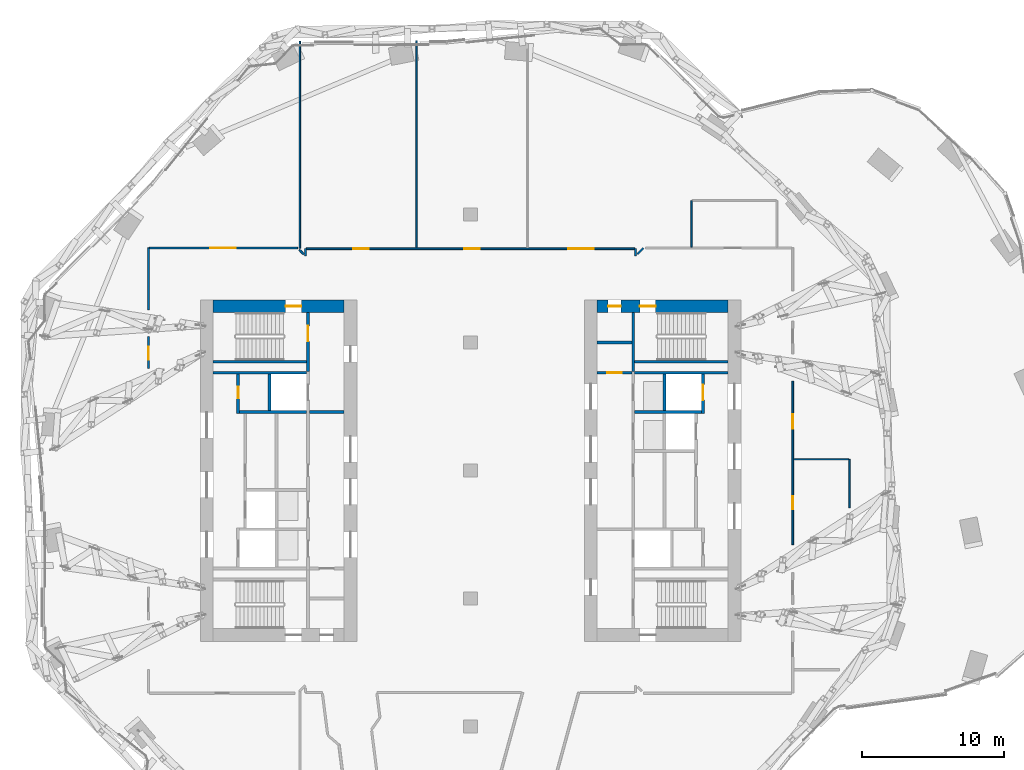
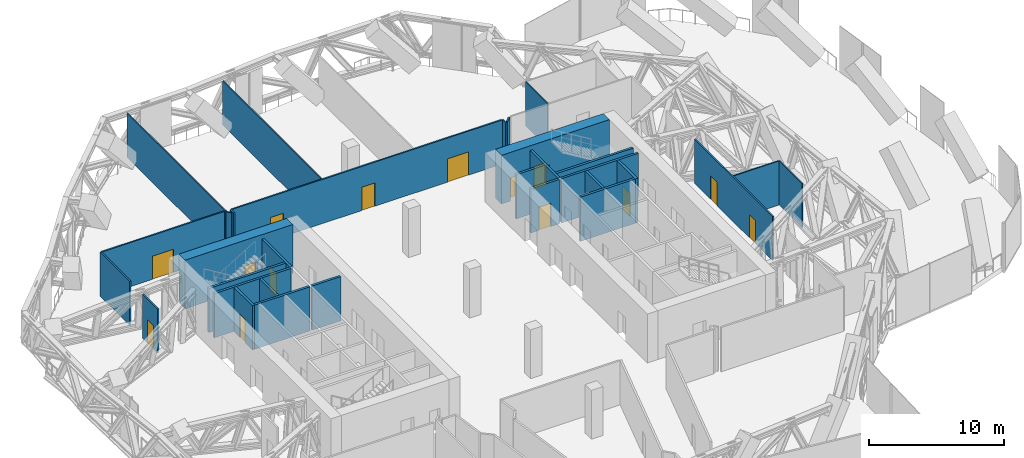
# One storey, part 21 of 27: 31 walls, 14 doors, 14 openings.
"""IFC4 building model written with IfcOpenShell, lengths in metres."""

from ifc_helpers import new_model, si_unit, direction, frame, frame_2d, origin, place, context, subcontext, project, spatial, rectangle, extrude, material, layer, layer_set, type_object, element, fill, save


model = new_model("IFC4")

# Units and contexts
model_context = context("Model", 3, precision=1e-05, world=origin(), true_north=direction((0.0, 1.0)))
body_context = subcontext(model_context, "Body", "Model", "MODEL_VIEW")
ifc_project = project(units=[si_unit("LENGTHUNIT", "METRE"), si_unit("AREAUNIT", "SQUARE_METRE"), si_unit("VOLUMEUNIT", "CUBIC_METRE"), si_unit("PLANEANGLEUNIT", "RADIAN"), si_unit("MASSUNIT", "GRAM", prefix="KILO")], contexts=[model_context])

# Site, building, storey
site_placement = place(None, origin())
site = spatial("IfcSite", under=ifc_project, at=site_placement, CompositionType="ELEMENT")
building_placement = place(site_placement, origin())
building = spatial("IfcBuilding", under=site, at=building_placement, Name="Orlundy Tower", CompositionType="ELEMENT")
storey_placement = place(building_placement, frame((0.0, 0.0, 206.10009765625)))
storey = spatial("IfcBuildingStorey", under=building, at=storey_placement, Name="L54", CompositionType="ELEMENT", Elevation=206.10009765625)

# Wall, opening, door
ifc_material_1 = material(Name="Concrete C70/85", Category="concrete")
ifc_layer_1 = layer(ifc_material_1, 0.89990234375)
ifc_layer_set_1 = layer_set([ifc_layer_1], Name="CORE WALL 900 C70/85")
wall_type_1 = type_object("IfcWallType", Name="CORE WALL 900 C70/85", PredefinedType="SHEAR", material=ifc_layer_set_1)
wall_1_placement = place(storey_placement, frame((-18.10009765625, 11.550048828125, 0.0), z_axis=(0.0, 0.0, 1.0), x_axis=(1.0, 0.0, 0.0)))
wall_1 = element("IfcWall", 1, at=wall_1_placement, inside=storey, type_object=wall_type_1, Name="Core wall W-N L54", PredefinedType="SHEAR", context=body_context, shape_type="SweptSolid", body=[
    extrude(rectangle(XDim=9.2001953125, YDim=0.89990234375, at=frame_2d((4.60009765625, 0.0))), origin(), (0.0, 0.0, 1.0), 4.39990234375),
])
opening_1_placement = place(wall_1_placement, frame((5.10009765625, 0.0, 0.0)))
opening_1 = element("IfcOpeningElement", 2, at=opening_1_placement, cuts=wall_1, Name="Opening 41016", PredefinedType="OPENING", context=body_context, shape_type="SweptSolid", body=[
    extrude(rectangle(XDim=1.10009765625, YDim=2.10009765625, at=frame_2d((0.550048828125, 1.050048828125))), frame((0.0, 0.4599609375, 0.0), z_axis=(0.0, -1.0, 0.0), x_axis=(1.0, 0.0, 0.0)), (0.0, 0.0, 1.0), 0.919921875),
])
ifc_material_2 = material(Name="Steel door set", Category="steel")
door_type_1 = type_object("IfcDoorType", Name="Stair Door 1100x2100", OperationType="SINGLE_SWING_LEFT", PredefinedType="DOOR", material=ifc_material_2)
door_1_placement = place(opening_1_placement, origin())
door_1 = element("IfcDoor", 3, at=door_1_placement, inside=storey, type_object=door_type_1, Name="Stair door 41016", OperationType="SINGLE_SWING_RIGHT", OverallHeight=2.10009765625, OverallWidth=1.10009765625, PredefinedType="DOOR", context=body_context, shape_type="SweptSolid", body=[
    extrude(rectangle(XDim=1.10009765625, YDim=2.10009765625, at=frame_2d((0.550048828125, 1.050048828125))), frame((0.0, 0.02490234375, 0.0), z_axis=(0.0, -1.0, 0.0), x_axis=(1.0, 0.0, 0.0)), (0.0, 0.0, 1.0), 0.050048828125),
])
fill(opening_1, door_1)

# Wall, openings, doors
wall_2_placement = place(storey_placement, frame((8.89990234375, 11.550048828125, 0.0), z_axis=(0.0, 0.0, 1.0), x_axis=(1.0, 0.0, 0.0)))
wall_2 = element("IfcWall", 4, at=wall_2_placement, inside=storey, type_object=wall_type_1, Name="Core wall E-N L54", PredefinedType="SHEAR", context=body_context, shape_type="SweptSolid", body=[
    extrude(rectangle(XDim=9.2001953125, YDim=0.89990234375, at=frame_2d((4.60009765625, 0.0))), origin(), (0.0, 0.0, 1.0), 4.39990234375),
])
opening_2_placement = place(wall_2_placement, frame((3.0, 0.0, 0.0)))
opening_2 = element("IfcOpeningElement", 5, at=opening_2_placement, cuts=wall_2, Name="Opening 41066", PredefinedType="OPENING", context=body_context, shape_type="SweptSolid", body=[
    extrude(rectangle(XDim=1.10009765625, YDim=2.10009765625, at=frame_2d((0.550048828125, 1.050048828125))), frame((0.0, 0.4599609375, 0.0), z_axis=(0.0, -1.0, 0.0), x_axis=(1.0, 0.0, 0.0)), (0.0, 0.0, 1.0), 0.919921875),
])
opening_3_placement = place(wall_2_placement, frame((0.77001953125, 0.0, 0.0)))
opening_3 = element("IfcOpeningElement", 6, at=opening_3_placement, cuts=wall_2, Name="Opening 41068", PredefinedType="OPENING", context=body_context, shape_type="SweptSolid", body=[
    extrude(rectangle(XDim=0.89990234375, YDim=2.10009765625, at=frame_2d((0.449951171875, 1.050048828125))), frame((0.0, 0.4599609375, 0.0), z_axis=(0.0, -1.0, 0.0), x_axis=(1.0, 0.0, 0.0)), (0.0, 0.0, 1.0), 0.919921875),
])
ifc_material_3 = material(Name="Timber door set", Category="wood")
door_type_2 = type_object("IfcDoorType", Name="Room Door 900x2100", OperationType="SINGLE_SWING_LEFT", PredefinedType="DOOR", material=ifc_material_3)
door_2_placement = place(opening_3_placement, origin())
door_2 = element("IfcDoor", 7, at=door_2_placement, inside=storey, type_object=door_type_2, Name="Store door 41068", OperationType="SINGLE_SWING_LEFT", OverallHeight=2.10009765625, OverallWidth=0.89990234375, PredefinedType="DOOR", context=body_context, shape_type="SweptSolid", body=[
    extrude(rectangle(XDim=0.89990234375, YDim=2.10009765625, at=frame_2d((0.449951171875, 1.050048828125))), frame((0.0, 0.02490234375, 0.0), z_axis=(0.0, -1.0, 0.0), x_axis=(1.0, 0.0, 0.0)), (0.0, 0.0, 1.0), 0.050048828125),
])
fill(opening_3, door_2)
door_3_placement = place(opening_2_placement, origin())
door_3 = element("IfcDoor", 8, at=door_3_placement, inside=storey, type_object=door_type_1, Name="Stair door 41066", OperationType="SINGLE_SWING_LEFT", OverallHeight=2.10009765625, OverallWidth=1.10009765625, PredefinedType="DOOR", context=body_context, shape_type="SweptSolid", body=[
    extrude(rectangle(XDim=1.10009765625, YDim=2.10009765625, at=frame_2d((0.550048828125, 1.050048828125))), frame((0.0, 0.02490234375, 0.0), z_axis=(0.0, -1.0, 0.0), x_axis=(1.0, 0.0, 0.0)), (0.0, 0.0, 1.0), 0.050048828125),
])
fill(opening_2, door_3)

# Walls
ifc_material_4 = material(Name="Gypsum board partition")
ifc_layer_2 = layer(ifc_material_4, 0.10009765625)
ifc_layer_set_2 = layer_set([ifc_layer_2], Name="Floor partition 100")
wall_type_2 = type_object("IfcWallType", Name="Floor partition 100", PredefinedType="PARTITIONING", material=ifc_layer_set_2)
wall_3_placement = place(storey_placement, frame((22.712890625, 0.794921875, 0.0), z_axis=(0.0, 0.0, 1.0), x_axis=(1.0, 0.0, 0.0)))
element("IfcWall", 9, at=wall_3_placement, inside=storey, type_object=wall_type_2, Name="wall-int-L54-029", PredefinedType="PARTITIONING", context=body_context, shape_type="SweptSolid", body=[
    extrude(rectangle(XDim=3.88720703125, YDim=0.10009765625, at=frame_2d((1.943603515625, 0.0))), origin(), (0.0, 0.0, 1.0), 3.97998046875),
])
wall_4_placement = place(storey_placement, frame((26.64990234375, -2.625, 0.0), z_axis=(0.0, 0.0, 1.0), x_axis=(0.0, 1.0, 0.0)))
element("IfcWall", 10, at=wall_4_placement, inside=storey, type_object=wall_type_2, Name="wall-int-L54-049", PredefinedType="PARTITIONING", context=body_context, shape_type="SweptSolid", body=[
    extrude(rectangle(XDim=3.419921875, YDim=0.10009765625, at=frame_2d((1.7099609375, 0.0))), origin(), (0.0, 0.0, 1.0), 3.97998046875),
])
wall_5_placement = place(storey_placement, frame((15.527099609375, 15.712890625, 0.0), z_axis=(0.0, 0.0, 1.0), x_axis=(0.0, 1.0, 0.0)))
element("IfcWall", 11, at=wall_5_placement, inside=storey, type_object=wall_type_2, Name="wall-int-L54-056", PredefinedType="PARTITIONING", context=body_context, shape_type="SweptSolid", body=[
    extrude(rectangle(XDim=3.27001953125, YDim=0.10009765625, at=frame_2d((1.635009765625, 0.0))), origin(), (0.0, 0.0, 1.0), 3.97998046875),
])
for number, where, z_axis, x_axis, name in (
    (12, (-3.799072265625, 15.6640625, 0.0), (0.0, 0.0, 1.0), (0.0, 1.0, 0.0), "wall-int-L54-063"),
    (13, (-12.0, 15.615966796875, 0.0), (0.0, 0.0, 1.0), (0.0, 1.0, 0.0), "wall-int-L54-065"),
):
    element("IfcWall", number, at=place(storey_placement, frame(where, z_axis=z_axis, x_axis=x_axis)), inside=storey, type_object=wall_type_2, Name=name, PredefinedType="PARTITIONING", context=body_context, shape_type="SweptSolid", body=[
        extrude(rectangle(XDim=14.56396484375, YDim=0.10009765625, at=frame_2d((7.281982421875, 0.0))), origin(), (0.0, 0.0, 1.0), 3.97998046875),
    ])
ifc_material_5 = material(Name="Gypsum board partition, double layer")
ifc_layer_3 = layer(ifc_material_5, 0.125)
ifc_layer_set_3 = layer_set([ifc_layer_3], Name="Floor partition 125")
wall_type_3 = type_object("IfcWallType", Name="Floor partition 125", PredefinedType="PARTITIONING", material=ifc_layer_set_3)
wall_6_placement = place(storey_placement, frame((-12.0458984375, 15.52392578125, 0.0), z_axis=(0.0, 0.0, 1.0), x_axis=(0.707106781187, -0.707106781187, 0.0)))
element("IfcWall", 14, at=wall_6_placement, inside=storey, type_object=wall_type_3, Name="wall-int-L54-007", PredefinedType="PARTITIONING", context=body_context, shape_type="SweptSolid", body=[
    extrude(rectangle(XDim=0.449462890625, YDim=0.125, at=frame_2d((0.224609375, 0.0))), origin(), (0.0, 0.0, 1.0), 3.97998046875),
])

# Wall, openings, doors
wall_7_placement = place(storey_placement, frame((-11.537109375, 15.60107421875, 0.0), z_axis=(0.0, 0.0, 1.0), x_axis=(1.0, 0.0, 0.0)))
wall_7 = element("IfcWall", 15, at=wall_7_placement, inside=storey, type_object=wall_type_3, Name="wall-int-L54-030", PredefinedType="PARTITIONING", context=body_context, shape_type="SweptSolid", body=[
    extrude(rectangle(XDim=23.07421875, YDim=0.125, at=frame_2d((11.537109375, 0.0))), origin(), (0.0, 0.0, 1.0), 3.97998046875),
])
opening_4_placement = place(wall_7_placement, frame((18.387451171875, 0.0, 0.0)))
opening_4 = element("IfcOpeningElement", 16, at=opening_4_placement, cuts=wall_7, Name="Opening 41122", PredefinedType="OPENING", context=body_context, shape_type="SweptSolid", body=[
    extrude(rectangle(XDim=1.800048828125, YDim=2.10009765625, at=frame_2d((0.89990234375, 1.050048828125))), frame((0.0, 0.072509765625, 0.0), z_axis=(0.0, -1.0, 0.0), x_axis=(1.0, 0.0, 0.0)), (0.0, 0.0, 1.0), 0.14501953125),
])
opening_5_placement = place(wall_7_placement, frame((11.08837890625, 0.0, 0.0)))
opening_5 = element("IfcOpeningElement", 17, at=opening_5_placement, cuts=wall_7, Name="Opening 41123", PredefinedType="OPENING", context=body_context, shape_type="SweptSolid", body=[
    extrude(rectangle(XDim=1.10009765625, YDim=2.10009765625, at=frame_2d((0.550048828125, 1.050048828125))), frame((0.0, 0.072509765625, 0.0), z_axis=(0.0, -1.0, 0.0), x_axis=(1.0, 0.0, 0.0)), (0.0, 0.0, 1.0), 0.14501953125),
])
opening_6_placement = place(wall_7_placement, frame((3.28759765625, 0.0, 0.0)))
opening_6 = element("IfcOpeningElement", 18, at=opening_6_placement, cuts=wall_7, Name="Opening 41124", PredefinedType="OPENING", context=body_context, shape_type="SweptSolid", body=[
    extrude(rectangle(XDim=1.10009765625, YDim=2.10009765625, at=frame_2d((0.550048828125, 1.050048828125))), frame((0.0, 0.072509765625, 0.0), z_axis=(0.0, -1.0, 0.0), x_axis=(1.0, 0.0, 0.0)), (0.0, 0.0, 1.0), 0.14501953125),
])
ifc_material_6 = material(Name="Timber door leaf", Category="wood")
door_type_3 = type_object("IfcDoorType", Name="Floor door double 1800 FD30S", OperationType="NOTDEFINED", PredefinedType="DOOR", material=ifc_material_6)
door_4_placement = place(opening_4_placement, origin())
door_4 = element("IfcDoor", 19, at=door_4_placement, inside=storey, type_object=door_type_3, Name="Door 41122", OperationType="DOUBLE_DOOR_SINGLE_SWING", OverallHeight=2.10009765625, OverallWidth=1.800048828125, PredefinedType="DOOR", context=body_context, shape_type="SweptSolid", body=[
    extrude(rectangle(XDim=1.800048828125, YDim=2.10009765625, at=frame_2d((0.89990234375, 1.050048828125))), frame((0.0, 0.02490234375, 0.0), z_axis=(0.0, -1.0, 0.0), x_axis=(1.0, 0.0, 0.0)), (0.0, 0.0, 1.0), 0.050048828125),
])
fill(opening_4, door_4)
ifc_material_7 = material(Name="Timber door leaf", Category="wood")
door_type_4 = type_object("IfcDoorType", Name="Floor door xwide 1100 FD30S", OperationType="NOTDEFINED", PredefinedType="DOOR", material=ifc_material_7)
door_5_placement = place(opening_5_placement, origin())
door_5 = element("IfcDoor", 20, at=door_5_placement, inside=storey, type_object=door_type_4, Name="Door 41123", OperationType="SINGLE_SWING_RIGHT", OverallHeight=2.10009765625, OverallWidth=1.10009765625, PredefinedType="DOOR", context=body_context, shape_type="SweptSolid", body=[
    extrude(rectangle(XDim=1.10009765625, YDim=2.10009765625, at=frame_2d((0.550048828125, 1.050048828125))), frame((0.0, 0.02490234375, 0.0), z_axis=(0.0, -1.0, 0.0), x_axis=(1.0, 0.0, 0.0)), (0.0, 0.0, 1.0), 0.050048828125),
])
fill(opening_5, door_5)
door_6_placement = place(opening_6_placement, origin())
door_6 = element("IfcDoor", 21, at=door_6_placement, inside=storey, type_object=door_type_4, Name="Door 41124", OperationType="SINGLE_SWING_LEFT", OverallHeight=2.10009765625, OverallWidth=1.10009765625, PredefinedType="DOOR", context=body_context, shape_type="SweptSolid", body=[
    extrude(rectangle(XDim=1.10009765625, YDim=2.10009765625, at=frame_2d((0.550048828125, 1.050048828125))), frame((0.0, 0.02490234375, 0.0), z_axis=(0.0, -1.0, 0.0), x_axis=(1.0, 0.0, 0.0)), (0.0, 0.0, 1.0), 0.050048828125),
])
fill(opening_6, door_6)

# Wall, opening, door
wall_8_placement = place(storey_placement, frame((-22.5869140625, 15.65087890625, 0.0), z_axis=(0.0, 0.0, 1.0), x_axis=(1.0, 0.0, 0.0)))
wall_8 = element("IfcWall", 22, at=wall_8_placement, inside=storey, type_object=wall_type_3, Name="wall-int-L54-031", PredefinedType="PARTITIONING", context=body_context, shape_type="SweptSolid", body=[
    extrude(rectangle(XDim=10.427001953125, YDim=0.125, at=frame_2d((5.21337890625, 0.0))), origin(), (0.0, 0.0, 1.0), 3.97998046875),
])
opening_7_placement = place(wall_8_placement, frame((4.28759765625, 0.0, 0.0)))
opening_7 = element("IfcOpeningElement", 23, at=opening_7_placement, cuts=wall_8, Name="Opening 41125", PredefinedType="OPENING", context=body_context, shape_type="SweptSolid", body=[
    extrude(rectangle(XDim=1.800048828125, YDim=2.10009765625, at=frame_2d((0.89990234375, 1.050048828125))), frame((0.0, 0.072509765625, 0.0), z_axis=(0.0, -1.0, 0.0), x_axis=(1.0, 0.0, 0.0)), (0.0, 0.0, 1.0), 0.14501953125),
])
door_7_placement = place(opening_7_placement, origin())
door_7 = element("IfcDoor", 24, at=door_7_placement, inside=storey, type_object=door_type_3, Name="Door 41125", OperationType="DOUBLE_DOOR_SINGLE_SWING", OverallHeight=2.10009765625, OverallWidth=1.800048828125, PredefinedType="DOOR", context=body_context, shape_type="SweptSolid", body=[
    extrude(rectangle(XDim=1.800048828125, YDim=2.10009765625, at=frame_2d((0.89990234375, 1.050048828125))), frame((0.0, 0.02490234375, 0.0), z_axis=(0.0, -1.0, 0.0), x_axis=(1.0, 0.0, 0.0)), (0.0, 0.0, 1.0), 0.050048828125),
])
fill(opening_7, door_7)

# Walls
wall_9_placement = place(storey_placement, frame((11.72900390625, 15.20703125, 0.0), z_axis=(0.0, 0.0, 1.0), x_axis=(0.707106781187, 0.707106781187, 0.0)))
element("IfcWall", 25, at=wall_9_placement, inside=storey, type_object=wall_type_3, Name="wall-int-L54-037", PredefinedType="PARTITIONING", context=body_context, shape_type="SweptSolid", body=[
    extrude(rectangle(XDim=0.599609375, YDim=0.125, at=frame_2d((0.2998046875, 0.0))), origin(), (0.0, 0.0, 1.0), 3.97998046875),
])
wall_10_placement = place(storey_placement, frame((-11.60107421875, 15.092041015625, 0.0), z_axis=(0.0, 0.0, 1.0), x_axis=(0.00192214926, 0.999998152669, 0.0)))
element("IfcWall", 26, at=wall_10_placement, inside=storey, type_object=wall_type_3, Name="wall-int-L54-048", PredefinedType="PARTITIONING", context=body_context, shape_type="SweptSolid", body=[
    extrude(rectangle(XDim=0.508056640625, YDim=0.125, at=frame_2d((0.25390625, 0.0))), origin(), (0.0, 0.0, 1.0), 3.97998046875),
])

# Wall, openings, doors
wall_11_placement = place(storey_placement, frame((22.65087890625, 6.298095703125, 0.0), z_axis=(0.0, 0.0, 1.0), x_axis=(0.0, -1.0, 0.0)))
wall_11 = element("IfcWall", 27, at=wall_11_placement, inside=storey, type_object=wall_type_3, Name="wall-int-L54-052", PredefinedType="PARTITIONING", context=body_context, shape_type="SweptSolid", body=[
    extrude(rectangle(XDim=11.503173828125, YDim=0.125, at=frame_2d((5.75146484375, 0.0))), origin(), (0.0, 0.0, 1.0), 3.97998046875),
])
opening_8_placement = place(wall_11_placement, frame((2.35009765625, 0.0, 0.0)))
opening_8 = element("IfcOpeningElement", 28, at=opening_8_placement, cuts=wall_11, Name="Opening 41120", PredefinedType="OPENING", context=body_context, shape_type="SweptSolid", body=[
    extrude(rectangle(XDim=1.0, YDim=2.10009765625, at=frame_2d((0.5, 1.050048828125))), frame((0.0, 0.072509765625, 0.0), z_axis=(0.0, -1.0, 0.0), x_axis=(1.0, 0.0, 0.0)), (0.0, 0.0, 1.0), 0.14501953125),
])
opening_9_placement = place(wall_11_placement, frame((8.10302734375, 0.0, 0.0)))
opening_9 = element("IfcOpeningElement", 29, at=opening_9_placement, cuts=wall_11, Name="Opening 41127", PredefinedType="OPENING", context=body_context, shape_type="SweptSolid", body=[
    extrude(rectangle(XDim=0.89990234375, YDim=2.10009765625, at=frame_2d((0.449951171875, 1.050048828125))), frame((0.0, 0.072509765625, 0.0), z_axis=(0.0, -1.0, 0.0), x_axis=(1.0, 0.0, 0.0)), (0.0, 0.0, 1.0), 0.14501953125),
])
ifc_material_8 = material(Name="Timber door leaf", Category="wood")
door_type_5 = type_object("IfcDoorType", Name="Floor door single 900 FD30S", OperationType="NOTDEFINED", PredefinedType="DOOR", material=ifc_material_8)
door_8_placement = place(opening_9_placement, origin())
door_8 = element("IfcDoor", 30, at=door_8_placement, inside=storey, type_object=door_type_5, Name="Door 41127", OperationType="SINGLE_SWING_RIGHT", OverallHeight=2.10009765625, OverallWidth=0.89990234375, PredefinedType="DOOR", context=body_context, shape_type="SweptSolid", body=[
    extrude(rectangle(XDim=0.89990234375, YDim=2.10009765625, at=frame_2d((0.449951171875, 1.050048828125))), frame((0.0, 0.02490234375, 0.0), z_axis=(0.0, -1.0, 0.0), x_axis=(1.0, 0.0, 0.0)), (0.0, 0.0, 1.0), 0.050048828125),
])
fill(opening_9, door_8)
ifc_material_9 = material(Name="Timber door leaf", Category="wood")
door_type_6 = type_object("IfcDoorType", Name="Floor door wide 1000 FD30S", OperationType="NOTDEFINED", PredefinedType="DOOR", material=ifc_material_9)
door_9_placement = place(opening_8_placement, origin())
door_9 = element("IfcDoor", 31, at=door_9_placement, inside=storey, type_object=door_type_6, Name="Door 41120", OperationType="SINGLE_SWING_LEFT", OverallHeight=2.10009765625, OverallWidth=1.0, PredefinedType="DOOR", context=body_context, shape_type="SweptSolid", body=[
    extrude(rectangle(XDim=1.0, YDim=2.10009765625, at=frame_2d((0.5, 1.050048828125))), frame((0.0, 0.02490234375, 0.0), z_axis=(0.0, -1.0, 0.0), x_axis=(1.0, 0.0, 0.0)), (0.0, 0.0, 1.0), 0.050048828125),
])
fill(opening_8, door_9)

# Wall
wall_12_placement = place(storey_placement, frame((11.60107421875, 15.092041015625, 0.0), z_axis=(0.0, 0.0, 1.0), x_axis=(0.0, 1.0, 0.0)))
element("IfcWall", 32, at=wall_12_placement, inside=storey, type_object=wall_type_3, Name="wall-int-L54-058", PredefinedType="PARTITIONING", context=body_context, shape_type="SweptSolid", body=[
    extrude(rectangle(XDim=0.508056640625, YDim=0.125, at=frame_2d((0.25390625, 0.0))), origin(), (0.0, 0.0, 1.0), 3.97998046875),
])

# Wall, opening, door
wall_13_placement = place(storey_placement, frame((-22.64990234375, 7.194091796875, 0.0), z_axis=(0.0, 0.0, 1.0), x_axis=(0.0, 1.0, 0.0)))
wall_13 = element("IfcWall", 33, at=wall_13_placement, inside=storey, type_object=wall_type_3, Name="wall-int-L54-068", PredefinedType="PARTITIONING", context=body_context, shape_type="SweptSolid", body=[
    extrude(rectangle(XDim=2.219970703125, YDim=0.125, at=frame_2d((1.10986328125, 0.0))), origin(), (0.0, 0.0, 1.0), 3.97998046875),
])
opening_10_placement = place(wall_13_placement, frame((0.60009765625, 0.0, 0.0)))
opening_10 = element("IfcOpeningElement", 34, at=opening_10_placement, cuts=wall_13, Name="Opening 41126", PredefinedType="OPENING", context=body_context, shape_type="SweptSolid", body=[
    extrude(rectangle(XDim=0.89990234375, YDim=2.10009765625, at=frame_2d((0.449951171875, 1.050048828125))), frame((0.0, 0.072509765625, 0.0), z_axis=(0.0, -1.0, 0.0), x_axis=(1.0, 0.0, 0.0)), (0.0, 0.0, 1.0), 0.14501953125),
])
door_10_placement = place(opening_10_placement, origin())
door_10 = element("IfcDoor", 35, at=door_10_placement, inside=storey, type_object=door_type_5, Name="Door 41126", OperationType="SINGLE_SWING_LEFT", OverallHeight=2.10009765625, OverallWidth=0.89990234375, PredefinedType="DOOR", context=body_context, shape_type="SweptSolid", body=[
    extrude(rectangle(XDim=0.89990234375, YDim=2.10009765625, at=frame_2d((0.449951171875, 1.050048828125))), frame((0.0, 0.02490234375, 0.0), z_axis=(0.0, -1.0, 0.0), x_axis=(1.0, 0.0, 0.0)), (0.0, 0.0, 1.0), 0.050048828125),
])
fill(opening_10, door_10)

# Wall
wall_14_placement = place(storey_placement, frame((-22.64990234375, 11.2939453125, 0.0), z_axis=(0.0, 0.0, 1.0), x_axis=(0.0, 1.0, 0.0)))
element("IfcWall", 36, at=wall_14_placement, inside=storey, type_object=wall_type_3, Name="wall-int-L54-069", PredefinedType="PARTITIONING", context=body_context, shape_type="SweptSolid", body=[
    extrude(rectangle(XDim=4.35693359375, YDim=0.125, at=frame_2d((2.178466796875, 0.0))), origin(), (0.0, 0.0, 1.0), 3.97998046875),
])

# Wall, opening, door
ifc_material_10 = material(Name="Concrete C40/50", Category="concrete")
ifc_layer_4 = layer(ifc_material_10, 0.199951171875)
ifc_layer_set_4 = layer_set([ifc_layer_4], Name="Load-bearing Shaft Wall 200")
wall_type_4 = type_object("IfcWallType", Name="Load-bearing Shaft Wall 200", PredefinedType="SOLIDWALL", material=ifc_layer_set_4)
wall_15_placement = place(storey_placement, frame((-11.43994140625, 6.97509765625, 0.0), z_axis=(0.0, 0.0, 1.0), x_axis=(0.0, 1.0, 0.0)))
wall_15 = element("IfcWall", 37, at=wall_15_placement, inside=storey, type_object=wall_type_4, Name="Shaft wall W41-stair-end-n", PredefinedType="SOLIDWALL", context=body_context, shape_type="SweptSolid", body=[
    extrude(rectangle(XDim=4.125, YDim=0.199951171875, at=frame_2d((2.0625, 0.0))), origin(), (0.0, 0.0, 1.0), 3.989990234375),
])
opening_11_placement = place(wall_15_placement, frame((2.10009765625, 0.0, 0.0)))
opening_11 = element("IfcOpeningElement", 38, at=opening_11_placement, cuts=wall_15, Name="Opening 41018", PredefinedType="OPENING", context=body_context, shape_type="SweptSolid", body=[
    extrude(rectangle(XDim=1.10009765625, YDim=2.10009765625, at=frame_2d((0.550048828125, 1.050048828125))), frame((0.0, 0.110107421875, 0.0), z_axis=(0.0, -1.0, 0.0), x_axis=(1.0, 0.0, 0.0)), (0.0, 0.0, 1.0), 0.22021484375),
])
ifc_material_11 = material(Name="Steel door set", Category="steel")
door_type_7 = type_object("IfcDoorType", Name="Fire-fighting Lobby Door 1100x2100", OperationType="SINGLE_SWING_LEFT", PredefinedType="DOOR", material=ifc_material_11)
door_11_placement = place(opening_11_placement, origin())
door_11 = element("IfcDoor", 39, at=door_11_placement, inside=storey, type_object=door_type_7, Name="Fire-fighting lobby to stair door 41018", OperationType="SINGLE_SWING_RIGHT", OverallHeight=2.10009765625, OverallWidth=1.10009765625, PredefinedType="DOOR", context=body_context, shape_type="SweptSolid", body=[
    extrude(rectangle(XDim=1.10009765625, YDim=2.10009765625, at=frame_2d((0.550048828125, 1.050048828125))), frame((0.0, 0.02490234375, 0.0), z_axis=(0.0, -1.0, 0.0), x_axis=(1.0, 0.0, 0.0)), (0.0, 0.0, 1.0), 0.050048828125),
])
fill(opening_11, door_11)

# Walls
wall_16_placement = place(storey_placement, frame((-11.5400390625, 7.64990234375, 0.0), z_axis=(0.0, 0.0, 1.0), x_axis=(-1.0, 0.0, 0.0)))
element("IfcWall", 40, at=wall_16_placement, inside=storey, type_object=wall_type_4, Name="Shaft wall W41-stair-side-n", PredefinedType="SOLIDWALL", context=body_context, shape_type="SweptSolid", body=[
    extrude(rectangle(XDim=6.56005859375, YDim=0.199951171875, at=frame_2d((3.280029296875, 0.0))), origin(), (0.0, 0.0, 1.0), 3.989990234375),
])
wall_17_placement = place(storey_placement, frame((11.43994140625, 11.10009765625, 0.0), z_axis=(0.0, 0.0, 1.0), x_axis=(0.0, -1.0, 0.0)))
element("IfcWall", 41, at=wall_17_placement, inside=storey, type_object=wall_type_4, Name="Shaft wall E41-stair-end-s", PredefinedType="SOLIDWALL", context=body_context, shape_type="SweptSolid", body=[
    extrude(rectangle(XDim=4.125, YDim=0.199951171875, at=frame_2d((2.0625, 0.0))), origin(), (0.0, 0.0, 1.0), 3.989990234375),
])
wall_18_placement = place(storey_placement, frame((11.5400390625, 7.64990234375, 0.0), z_axis=(0.0, 0.0, 1.0), x_axis=(1.0, 0.0, 0.0)))
element("IfcWall", 42, at=wall_18_placement, inside=storey, type_object=wall_type_4, Name="Shaft wall E41-stair-side-s", PredefinedType="SOLIDWALL", context=body_context, shape_type="SweptSolid", body=[
    extrude(rectangle(XDim=6.56005859375, YDim=0.199951171875, at=frame_2d((3.280029296875, 0.0))), origin(), (0.0, 0.0, 1.0), 3.989990234375),
])
ifc_material_12 = material(Name="Gypsum board partition on steel studs", Category="steel")
ifc_layer_5 = layer(ifc_material_12, 0.199951171875)
ifc_layer_set_5 = layer_set([ifc_layer_5], Name="Partition 200")
wall_type_5 = type_object("IfcWallType", Name="Partition 200", PredefinedType="PARTITIONING", material=ifc_layer_set_5)
wall_19_placement = place(storey_placement, frame((-8.89990234375, 4.125, 0.0), z_axis=(0.0, 0.0, 1.0), x_axis=(-1.0, 0.0, 0.0)))
element("IfcWall", 43, at=wall_19_placement, inside=storey, type_object=wall_type_5, Name="Partition wall W41-lobby-n", PredefinedType="PARTITIONING", context=body_context, shape_type="SweptSolid", body=[
    extrude(rectangle(XDim=2.440185546875, YDim=0.199951171875, at=frame_2d((1.22021484375, 0.0))), origin(), (0.0, 0.0, 1.0), 3.989990234375),
])

# Wall, opening, door
wall_20_placement = place(storey_placement, frame((8.89990234375, 6.875, 0.0), z_axis=(0.0, 0.0, 1.0), x_axis=(1.0, 0.0, 0.0)))
wall_20 = element("IfcWall", 44, at=wall_20_placement, inside=storey, type_object=wall_type_5, Name="Partition wall E41-end-s", PredefinedType="PARTITIONING", context=body_context, shape_type="SweptSolid", body=[
    extrude(rectangle(XDim=2.440185546875, YDim=0.199951171875, at=frame_2d((1.22021484375, 0.0))), origin(), (0.0, 0.0, 1.0), 3.989990234375),
])
opening_12_placement = place(wall_20_placement, frame((0.719970703125, 0.0, 0.0)))
opening_12 = element("IfcOpeningElement", 45, at=opening_12_placement, cuts=wall_20, Name="Opening 41069", PredefinedType="OPENING", context=body_context, shape_type="SweptSolid", body=[
    extrude(rectangle(XDim=1.0, YDim=2.10009765625, at=frame_2d((0.5, 1.050048828125))), frame((0.0, 0.110107421875, 0.0), z_axis=(0.0, -1.0, 0.0), x_axis=(1.0, 0.0, 0.0)), (0.0, 0.0, 1.0), 0.22021484375),
])
ifc_material_13 = material(Name="Timber door set", Category="wood")
door_type_8 = type_object("IfcDoorType", Name="Accessible Door 1000x2100", OperationType="SINGLE_SWING_LEFT", PredefinedType="DOOR", material=ifc_material_13)
door_12_placement = place(opening_12_placement, origin())
door_12 = element("IfcDoor", 46, at=door_12_placement, inside=storey, type_object=door_type_8, Name="Accessible WC door 41069", OperationType="SINGLE_SWING_RIGHT", OverallHeight=2.10009765625, OverallWidth=1.0, PredefinedType="DOOR", context=body_context, shape_type="SweptSolid", body=[
    extrude(rectangle(XDim=1.0, YDim=2.10009765625, at=frame_2d((0.5, 1.050048828125))), frame((0.0, 0.02490234375, 0.0), z_axis=(0.0, -1.0, 0.0), x_axis=(1.0, 0.0, 0.0)), (0.0, 0.0, 1.0), 0.050048828125),
])
fill(opening_12, door_12)

# Walls
wall_21_placement = place(storey_placement, frame((8.89990234375, 9.0, 0.0), z_axis=(0.0, 0.0, 1.0), x_axis=(1.0, 0.0, 0.0)))
element("IfcWall", 47, at=wall_21_placement, inside=storey, type_object=wall_type_5, Name="Partition wall E41-room-s0", PredefinedType="PARTITIONING", context=body_context, shape_type="SweptSolid", body=[
    extrude(rectangle(XDim=2.440185546875, YDim=0.199951171875, at=frame_2d((1.22021484375, 0.0))), origin(), (0.0, 0.0, 1.0), 3.989990234375),
])
ifc_material_14 = material(Name="Fire-rated blockwork shaft wall", Category="masonry")
ifc_layer_6 = layer(ifc_material_14, 0.199951171875)
ifc_layer_set_6 = layer_set([ifc_layer_6], Name="Shaft Wall 200")
wall_type_6 = type_object("IfcWallType", Name="Shaft Wall 200", PredefinedType="SOLIDWALL", material=ifc_layer_set_6)
wall_22_placement = place(storey_placement, frame((-11.5400390625, 6.875, 0.0), z_axis=(0.0, 0.0, 1.0), x_axis=(-1.0, 0.0, 0.0)))
element("IfcWall", 48, at=wall_22_placement, inside=storey, type_object=wall_type_6, Name="Shaft wall W41-zone-n", PredefinedType="SOLIDWALL", context=body_context, shape_type="SweptSolid", body=[
    extrude(rectangle(XDim=6.56005859375, YDim=0.199951171875, at=frame_2d((3.280029296875, 0.0))), origin(), (0.0, 0.0, 1.0), 3.989990234375),
])
wall_23_placement = place(storey_placement, frame((-11.5400390625, 4.125, 0.0), z_axis=(0.0, 0.0, 1.0), x_axis=(-1.0, 0.0, 0.0)))
element("IfcWall", 49, at=wall_23_placement, inside=storey, type_object=wall_type_6, Name="Shaft wall W41-cross+4.125", PredefinedType="SOLIDWALL", context=body_context, shape_type="SweptSolid", body=[
    extrude(rectangle(XDim=4.699951171875, YDim=0.199951171875, at=frame_2d((2.35009765625, 0.0))), origin(), (0.0, 0.0, 1.0), 3.989990234375),
])
wall_24_placement = place(storey_placement, frame((-14.139892578125, 4.22509765625, 0.0), z_axis=(0.0, 0.0, 1.0), x_axis=(0.0, 1.0, 0.0)))
element("IfcWall", 50, at=wall_24_placement, inside=storey, type_object=wall_type_6, Name="Shaft wall W41-mid-b", PredefinedType="SOLIDWALL", context=body_context, shape_type="SweptSolid", body=[
    extrude(rectangle(XDim=2.5498046875, YDim=0.199951171875, at=frame_2d((1.27490234375, 0.0))), origin(), (0.0, 0.0, 1.0), 3.989990234375),
])

# Wall, opening, door
wall_25_placement = place(storey_placement, frame((-16.340087890625, 4.02490234375, 0.0), z_axis=(0.0, 0.0, 1.0), x_axis=(0.0, 1.0, 0.0)))
wall_25 = element("IfcWall", 51, at=wall_25_placement, inside=storey, type_object=wall_type_6, Name="Shaft wall W41-front-o-c", PredefinedType="SOLIDWALL", context=body_context, shape_type="SweptSolid", body=[
    extrude(rectangle(XDim=2.75, YDim=0.199951171875, at=frame_2d((1.375, 0.0))), origin(), (0.0, 0.0, 1.0), 3.989990234375),
])
opening_13_placement = place(wall_25_placement, frame((1.074951171875, 0.0, 0.0)))
opening_13 = element("IfcOpeningElement", 52, at=opening_13_placement, cuts=wall_25, Name="Opening 41008", PredefinedType="OPENING", context=body_context, shape_type="SweptSolid", body=[
    extrude(rectangle(XDim=0.800048828125, YDim=2.10009765625, at=frame_2d((0.39990234375, 1.050048828125))), frame((0.0, 0.110107421875, 0.0), z_axis=(0.0, -1.0, 0.0), x_axis=(1.0, 0.0, 0.0)), (0.0, 0.0, 1.0), 0.22021484375),
])
ifc_material_15 = material(Name="Timber door set", Category="wood")
door_type_9 = type_object("IfcDoorType", Name="Riser Door 800x2100", OperationType="SINGLE_SWING_LEFT", PredefinedType="DOOR", material=ifc_material_15)
door_13_placement = place(opening_13_placement, origin())
door_13 = element("IfcDoor", 53, at=door_13_placement, inside=storey, type_object=door_type_9, Name="Water Riser Room door 41008", OperationType="SINGLE_SWING_LEFT", OverallHeight=2.10009765625, OverallWidth=0.800048828125, PredefinedType="DOOR", context=body_context, shape_type="SweptSolid", body=[
    extrude(rectangle(XDim=0.800048828125, YDim=2.10009765625, at=frame_2d((0.39990234375, 1.050048828125))), frame((0.0, 0.02490234375, 0.0), z_axis=(0.0, -1.0, 0.0), x_axis=(1.0, 0.0, 0.0)), (0.0, 0.0, 1.0), 0.050048828125),
])
fill(opening_13, door_13)

# Walls
wall_26_placement = place(storey_placement, frame((11.5400390625, 6.875, 0.0), z_axis=(0.0, 0.0, 1.0), x_axis=(1.0, 0.0, 0.0)))
element("IfcWall", 54, at=wall_26_placement, inside=storey, type_object=wall_type_6, Name="Shaft wall E41-zone-s", PredefinedType="SOLIDWALL", context=body_context, shape_type="SweptSolid", body=[
    extrude(rectangle(XDim=6.56005859375, YDim=0.199951171875, at=frame_2d((3.280029296875, 0.0))), origin(), (0.0, 0.0, 1.0), 3.989990234375),
])
wall_27_placement = place(storey_placement, frame((11.5400390625, 4.125, 0.0), z_axis=(0.0, 0.0, 1.0), x_axis=(1.0, 0.0, 0.0)))
element("IfcWall", 55, at=wall_27_placement, inside=storey, type_object=wall_type_6, Name="Shaft wall E41-cross-4.125", PredefinedType="SOLIDWALL", context=body_context, shape_type="SweptSolid", body=[
    extrude(rectangle(XDim=4.699951171875, YDim=0.199951171875, at=frame_2d((2.35009765625, 0.0))), origin(), (0.0, 0.0, 1.0), 3.989990234375),
])
wall_28_placement = place(storey_placement, frame((13.639892578125, 6.77490234375, 0.0), z_axis=(0.0, 0.0, 1.0), x_axis=(0.0, -1.0, 0.0)))
element("IfcWall", 56, at=wall_28_placement, inside=storey, type_object=wall_type_6, Name="Shaft wall E41-mid-a", PredefinedType="SOLIDWALL", context=body_context, shape_type="SweptSolid", body=[
    extrude(rectangle(XDim=2.5498046875, YDim=0.199951171875, at=frame_2d((1.27490234375, 0.0))), origin(), (0.0, 0.0, 1.0), 3.989990234375),
])

# Wall, opening, door
wall_29_placement = place(storey_placement, frame((16.340087890625, 6.77490234375, 0.0), z_axis=(0.0, 0.0, 1.0), x_axis=(0.0, -1.0, 0.0)))
wall_29 = element("IfcWall", 57, at=wall_29_placement, inside=storey, type_object=wall_type_6, Name="Shaft wall E41-front-o-a", PredefinedType="SOLIDWALL", context=body_context, shape_type="SweptSolid", body=[
    extrude(rectangle(XDim=2.75, YDim=0.199951171875, at=frame_2d((1.375, 0.0))), origin(), (0.0, 0.0, 1.0), 3.989990234375),
])
opening_14_placement = place(wall_29_placement, frame((0.72509765625, 0.0, 0.0)))
opening_14 = element("IfcOpeningElement", 58, at=opening_14_placement, cuts=wall_29, Name="Opening 41051", PredefinedType="OPENING", context=body_context, shape_type="SweptSolid", body=[
    extrude(rectangle(XDim=1.10009765625, YDim=2.10009765625, at=frame_2d((0.550048828125, 1.050048828125))), frame((0.0, 0.110107421875, 0.0), z_axis=(0.0, -1.0, 0.0), x_axis=(1.0, 0.0, 0.0)), (0.0, 0.0, 1.0), 0.22021484375),
])
ifc_material_16 = material(Name="Steel door set", Category="steel")
door_type_10 = type_object("IfcDoorType", Name="Landing Door 1100x2100", OperationType="DOUBLE_DOOR_SLIDING", PredefinedType="DOOR", material=ifc_material_16)
door_14_placement = place(opening_14_placement, origin())
door_14 = element("IfcDoor", 59, at=door_14_placement, inside=storey, type_object=door_type_10, Name="Lift landing door LV-02 41051", OperationType="DOUBLE_DOOR_SLIDING", OverallHeight=2.10009765625, OverallWidth=1.10009765625, PredefinedType="DOOR", context=body_context, shape_type="SweptSolid", body=[
    extrude(rectangle(XDim=1.10009765625, YDim=2.10009765625, at=frame_2d((0.550048828125, 1.050048828125))), frame((0.0, 0.02490234375, 0.0), z_axis=(0.0, -1.0, 0.0), x_axis=(1.0, 0.0, 0.0)), (0.0, 0.0, 1.0), 0.050048828125),
])
fill(opening_14, door_14)

save(model, "model.ifc")
